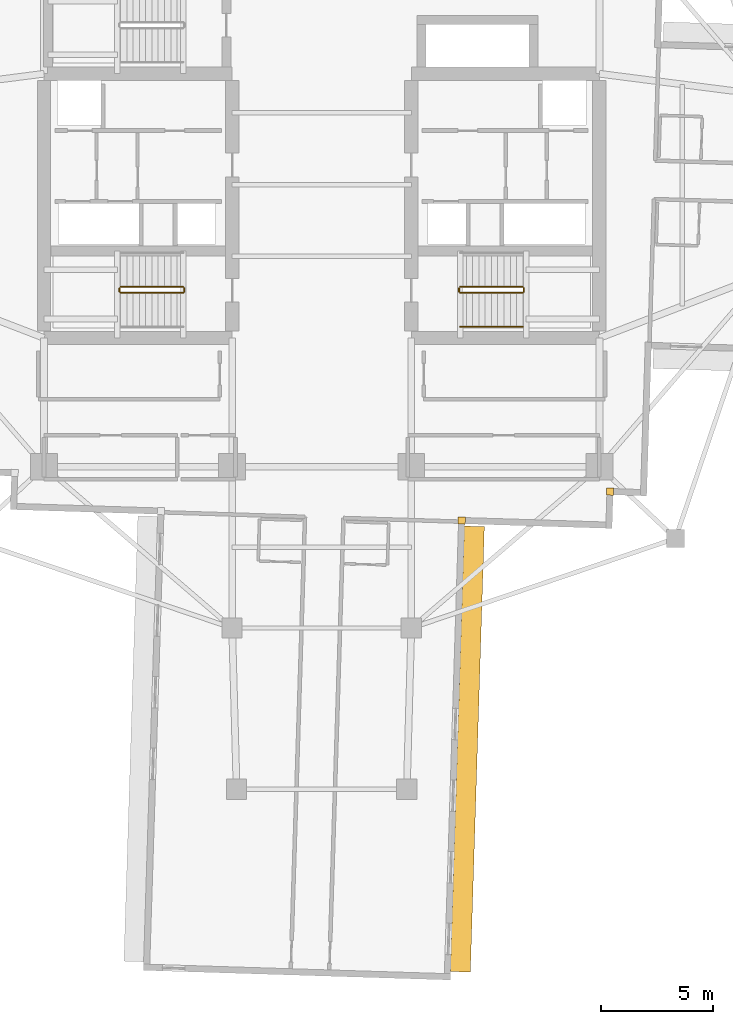
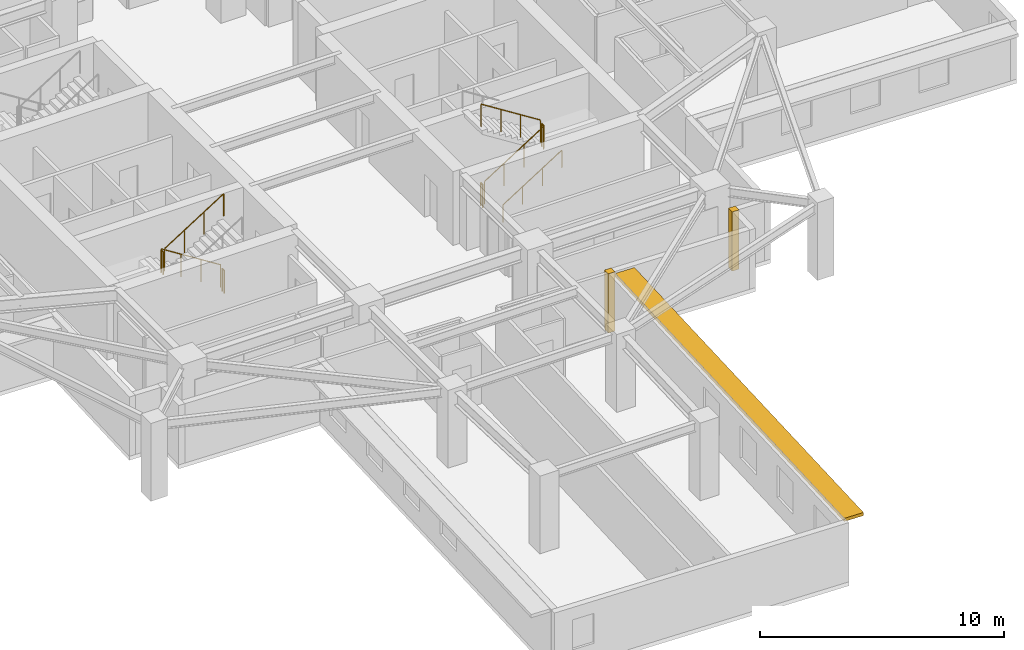
# One storey, part 10 of 13: 9 railings, 2 coverings, 1 shading device.
"""IFC4 building model written with IfcOpenShell, lengths in metres."""

from ifc_helpers import new_model, si_unit, direction, frame, origin, origin_2d, place, context, subcontext, project, spatial, rectangle, circle, extrude, material, layer, layer_set, type_object, element, save


model = new_model("IFC4")

# Units and contexts
model_context = context("Model", 3, precision=1e-05, world=origin(), true_north=direction((0.0, 1.0)))
body_context = subcontext(model_context, "Body", "Model", "MODEL_VIEW")
ifc_project = project(units=[si_unit("LENGTHUNIT", "METRE"), si_unit("AREAUNIT", "SQUARE_METRE"), si_unit("VOLUMEUNIT", "CUBIC_METRE"), si_unit("PLANEANGLEUNIT", "RADIAN"), si_unit("MASSUNIT", "GRAM", prefix="KILO")], contexts=[model_context])

# Site, building, storey
site_placement = place(None, origin())
site = spatial("IfcSite", under=ifc_project, at=site_placement, CompositionType="ELEMENT")
building_placement = place(site_placement, origin())
building = spatial("IfcBuilding", under=site, at=building_placement, Name="Qingluan Cross Belvedere", CompositionType="ELEMENT")
storey_placement = place(building_placement, frame((0.0, 0.0, 152.699951171875)))
storey = spatial("IfcBuildingStorey", under=building, at=storey_placement, Name="L38", CompositionType="ELEMENT", Elevation=152.699951171875)

# Coverings
ifc_material_1 = material(Name="Precast concrete C45", Category="concrete")
ifc_layer_1 = layer(ifc_material_1, 0.1201171875, Name="ConcreteSpandrelCladding_120")
ifc_layer_set_1 = layer_set([ifc_layer_1], Name="Precast concrete C45")
covering_type = type_object("IfcCoveringType", Name="ConcreteSpandrelCladding_120", PredefinedType="CLADDING", material=ifc_layer_set_1)
for number, where, z_axis, x_axis, name in (
    (1, (12.875732421875, -13.711181640625, 0.0), (0.0, 0.0, 1.0), (0.999506560366, -0.031410759078, 0.0), "Corner closure L38-SE1"),
    (2, (6.251708984375, -15.00390625, 0.0), (0.0, 0.0, 1.0), (0.999506560366, -0.031410759078, 0.0), "Corner closure L38-SE2"),
):
    element("IfcCovering", number, at=place(storey_placement, frame(where, z_axis=z_axis, x_axis=x_axis)), inside=storey, type_object=covering_type, Name=name, PredefinedType="CLADDING", context=body_context, shape_type="SweptSolid", body=[
        extrude(rectangle(XDim=0.320068359375, YDim=0.320068359375, at=origin_2d()), origin(), (0.0, 0.0, 1.0), 2.969970703125),
    ])

# Shading device
ifc_material_2 = material(Name="Precast concrete C45", Category="concrete")
ifc_layer_2 = layer(ifc_material_2, 0.159912109375, Name="ConcreteSunshadeBand_900")
ifc_layer_set_2 = layer_set([ifc_layer_2], Name="Precast concrete C45")
shading_device_type = type_object("IfcShadingDeviceType", Name="ConcreteSunshadeBand_900", PredefinedType="USERDEFINED", material=ifc_layer_set_2)
shading_device_placement = place(storey_placement, frame((6.50146484375, -25.206787109375, 2.7900390625), z_axis=(0.0, 0.0, 1.0), x_axis=(0.031407934627, 0.999506649124, 0.0)))
element("IfcShadingDevice", 3, at=shading_device_placement, inside=storey, type_object=shading_device_type, Name="Concrete SUNSHADE L38-SB", ObjectType="SUNSHADE", PredefinedType="USERDEFINED", context=body_context, shape_type="SweptSolid", body=[
    extrude(rectangle(XDim=19.89990234375, YDim=0.89990234375, at=origin_2d()), origin(), (0.0, 0.0, 1.0), 0.159912109375),
])

# Railings
ifc_material_3 = material(Name="Brushed stainless steel tubular handrail", Category="steel")
railing_type_1 = type_object("IfcRailingType", Name="StairPitchHandrail_900", PredefinedType="HANDRAIL", material=ifc_material_3)
railing_1_placement = place(storey_placement, frame((6.179931640625, -6.35009765625, 0.17724609375)))
element("IfcRailing", 4, at=railing_1_placement, inside=storey, type_object=railing_type_1, Name="L38 ST2 stair handrail 1", PredefinedType="HANDRAIL", context=body_context, shape_type="SweptSolid", body=[
    extrude(circle(Radius=0.02392578125, at=origin_2d()), frame((0.0, 0.0, 0.8759765625), z_axis=(0.844908973607, 0.0, 0.534910110503), x_axis=(0.0, 1.0, 0.0)), (0.0, 0.0, 1.0), 3.31396484375),
    extrude(circle(Radius=0.02099609375, at=origin_2d()), origin(), (0.0, 0.0, 1.0), 0.851806640625),
    extrude(circle(Radius=0.02099609375, at=origin_2d()), frame((0.933349609375, 0.0, 0.5908203125)), (0.0, 0.0, 1.0), 0.851806640625),
    extrude(circle(Radius=0.02099609375, at=origin_2d()), frame((1.86669921875, 0.0, 1.181884765625)), (0.0, 0.0, 1.0), 0.851806640625),
    extrude(circle(Radius=0.02099609375, at=origin_2d()), frame((2.800048828125, 0.0, 1.772705078125)), (0.0, 0.0, 1.0), 0.851806640625),
])
ifc_material_4 = material(Name="Painted steel stair well guard", Category="steel")
railing_type_2 = type_object("IfcRailingType", Name="StairWellGuard_1150", PredefinedType="BALUSTRADE", material=ifc_material_4)
railing_2_placement = place(storey_placement, frame((-6.179931640625, -4.570068359375, 0.17724609375)))
element("IfcRailing", 5, at=railing_2_placement, inside=storey, type_object=railing_type_2, Name="L38 ST1 stair guard 1", PredefinedType="BALUSTRADE", context=body_context, shape_type="SweptSolid", body=[
    extrude(circle(Radius=0.02392578125, at=origin_2d()), frame((0.0, 0.0, 1.1259765625), z_axis=(-0.844908973607, 0.0, 0.534910110503), x_axis=(0.0, -1.0, 0.0)), (0.0, 0.0, 1.0), 3.31396484375),
    extrude(circle(Radius=0.02099609375, at=origin_2d()), origin(), (0.0, 0.0, 1.0), 1.101806640625),
    extrude(circle(Radius=0.02099609375, at=origin_2d()), frame((-0.933349609375, 0.0, 0.5908203125)), (0.0, 0.0, 1.0), 1.101806640625),
    extrude(circle(Radius=0.02099609375, at=origin_2d()), frame((-1.86669921875, 0.0, 1.181884765625)), (0.0, 0.0, 1.0), 1.101806640625),
    extrude(circle(Radius=0.02099609375, at=origin_2d()), frame((-2.800048828125, 0.0, 1.772705078125)), (0.0, 0.0, 1.0), 1.101806640625),
])
railing_3_placement = place(storey_placement, frame((-9.030029296875, -4.6201171875, 1.949951171875)))
element("IfcRailing", 6, at=railing_3_placement, inside=storey, type_object=railing_type_2, Name="L38 ST1 stair guard 2", PredefinedType="BALUSTRADE", context=body_context, shape_type="SweptSolid", body=[
    extrude(circle(Radius=0.02392578125, at=origin_2d()), frame((0.0, 0.0, 1.1259765625), z_axis=(0.0, -1.0, 0.0), x_axis=(1.0, 0.0, 0.0)), (0.0, 0.0, 1.0), 0.159912109375),
    extrude(circle(Radius=0.02099609375, at=origin_2d()), origin(), (0.0, 0.0, 1.0), 1.101806640625),
    extrude(circle(Radius=0.02099609375, at=origin_2d()), frame((0.0, -0.159912109375, 0.0)), (0.0, 0.0, 1.0), 1.101806640625),
])
railing_4_placement = place(storey_placement, frame((-8.97998046875, -4.830078125, 2.12744140625)))
element("IfcRailing", 7, at=railing_4_placement, inside=storey, type_object=railing_type_2, Name="L38 ST1 stair guard 3", PredefinedType="BALUSTRADE", context=body_context, shape_type="SweptSolid", body=[
    extrude(circle(Radius=0.02392578125, at=origin_2d()), frame((0.0, 0.0, 1.1259765625), z_axis=(0.844908973607, 0.0, 0.534910110503), x_axis=(0.0, 1.0, 0.0)), (0.0, 0.0, 1.0), 3.31396484375),
    extrude(circle(Radius=0.02099609375, at=origin_2d()), origin(), (0.0, 0.0, 1.0), 1.101806640625),
    extrude(circle(Radius=0.02099609375, at=origin_2d()), frame((0.933349609375, 0.0, 0.5908203125)), (0.0, 0.0, 1.0), 1.101806640625),
    extrude(circle(Radius=0.02099609375, at=origin_2d()), frame((1.86669921875, 0.0, 1.181884765625)), (0.0, 0.0, 1.0), 1.101806640625),
    extrude(circle(Radius=0.02099609375, at=origin_2d()), frame((2.800048828125, 0.0, 1.772705078125)), (0.0, 0.0, 1.0), 1.101806640625),
])
railing_5_placement = place(storey_placement, frame((-6.1298828125, -4.6201171875, 0.0)))
element("IfcRailing", 8, at=railing_5_placement, inside=storey, type_object=railing_type_2, Name="L38 ST1 stair guard 4", PredefinedType="BALUSTRADE", context=body_context, shape_type="SweptSolid", body=[
    extrude(circle(Radius=0.02392578125, at=origin_2d()), frame((0.0, 0.0, 1.1259765625), z_axis=(0.0, -1.0, 0.0), x_axis=(1.0, 0.0, 0.0)), (0.0, 0.0, 1.0), 0.159912109375),
    extrude(circle(Radius=0.02099609375, at=origin_2d()), origin(), (0.0, 0.0, 1.0), 1.101806640625),
    extrude(circle(Radius=0.02099609375, at=origin_2d()), frame((0.0, -0.159912109375, 0.0)), (0.0, 0.0, 1.0), 1.101806640625),
])
railing_6_placement = place(storey_placement, frame((6.179931640625, -4.830078125, 0.17724609375)))
element("IfcRailing", 9, at=railing_6_placement, inside=storey, type_object=railing_type_2, Name="L38 ST2 stair guard 1", PredefinedType="BALUSTRADE", context=body_context, shape_type="SweptSolid", body=[
    extrude(circle(Radius=0.02392578125, at=origin_2d()), frame((0.0, 0.0, 1.1259765625), z_axis=(0.844908973607, 0.0, 0.534910110503), x_axis=(0.0, 1.0, 0.0)), (0.0, 0.0, 1.0), 3.31396484375),
    extrude(circle(Radius=0.02099609375, at=origin_2d()), origin(), (0.0, 0.0, 1.0), 1.101806640625),
    extrude(circle(Radius=0.02099609375, at=origin_2d()), frame((0.933349609375, 0.0, 0.5908203125)), (0.0, 0.0, 1.0), 1.101806640625),
    extrude(circle(Radius=0.02099609375, at=origin_2d()), frame((1.86669921875, 0.0, 1.181884765625)), (0.0, 0.0, 1.0), 1.101806640625),
    extrude(circle(Radius=0.02099609375, at=origin_2d()), frame((2.800048828125, 0.0, 1.772705078125)), (0.0, 0.0, 1.0), 1.101806640625),
])
railing_7_placement = place(storey_placement, frame((9.030029296875, -4.780029296875, 1.949951171875)))
element("IfcRailing", 10, at=railing_7_placement, inside=storey, type_object=railing_type_2, Name="L38 ST2 stair guard 2", PredefinedType="BALUSTRADE", context=body_context, shape_type="SweptSolid", body=[
    extrude(circle(Radius=0.02392578125, at=origin_2d()), frame((0.0, 0.0, 1.1259765625), z_axis=(0.0, 1.0, 0.0), x_axis=(-1.0, 0.0, 0.0)), (0.0, 0.0, 1.0), 0.159912109375),
    extrude(circle(Radius=0.02099609375, at=origin_2d()), origin(), (0.0, 0.0, 1.0), 1.101806640625),
    extrude(circle(Radius=0.02099609375, at=origin_2d()), frame((0.0, 0.159912109375, 0.0)), (0.0, 0.0, 1.0), 1.101806640625),
])
railing_8_placement = place(storey_placement, frame((8.97998046875, -4.570068359375, 2.12744140625)))
element("IfcRailing", 11, at=railing_8_placement, inside=storey, type_object=railing_type_2, Name="L38 ST2 stair guard 3", PredefinedType="BALUSTRADE", context=body_context, shape_type="SweptSolid", body=[
    extrude(circle(Radius=0.02392578125, at=origin_2d()), frame((0.0, 0.0, 1.1259765625), z_axis=(-0.844908973607, 0.0, 0.534910110503), x_axis=(0.0, -1.0, 0.0)), (0.0, 0.0, 1.0), 3.31396484375),
    extrude(circle(Radius=0.02099609375, at=origin_2d()), origin(), (0.0, 0.0, 1.0), 1.101806640625),
    extrude(circle(Radius=0.02099609375, at=origin_2d()), frame((-0.933349609375, 0.0, 0.5908203125)), (0.0, 0.0, 1.0), 1.101806640625),
    extrude(circle(Radius=0.02099609375, at=origin_2d()), frame((-1.86669921875, 0.0, 1.181884765625)), (0.0, 0.0, 1.0), 1.101806640625),
    extrude(circle(Radius=0.02099609375, at=origin_2d()), frame((-2.800048828125, 0.0, 1.772705078125)), (0.0, 0.0, 1.0), 1.101806640625),
])
railing_9_placement = place(storey_placement, frame((6.1298828125, -4.780029296875, 0.0)))
element("IfcRailing", 12, at=railing_9_placement, inside=storey, type_object=railing_type_2, Name="L38 ST2 stair guard 4", PredefinedType="BALUSTRADE", context=body_context, shape_type="SweptSolid", body=[
    extrude(circle(Radius=0.02392578125, at=origin_2d()), frame((0.0, 0.0, 1.1259765625), z_axis=(0.0, 1.0, 0.0), x_axis=(-1.0, 0.0, 0.0)), (0.0, 0.0, 1.0), 0.159912109375),
    extrude(circle(Radius=0.02099609375, at=origin_2d()), origin(), (0.0, 0.0, 1.0), 1.101806640625),
    extrude(circle(Radius=0.02099609375, at=origin_2d()), frame((0.0, 0.159912109375, 0.0)), (0.0, 0.0, 1.0), 1.101806640625),
])

save(model, "model.ifc")
